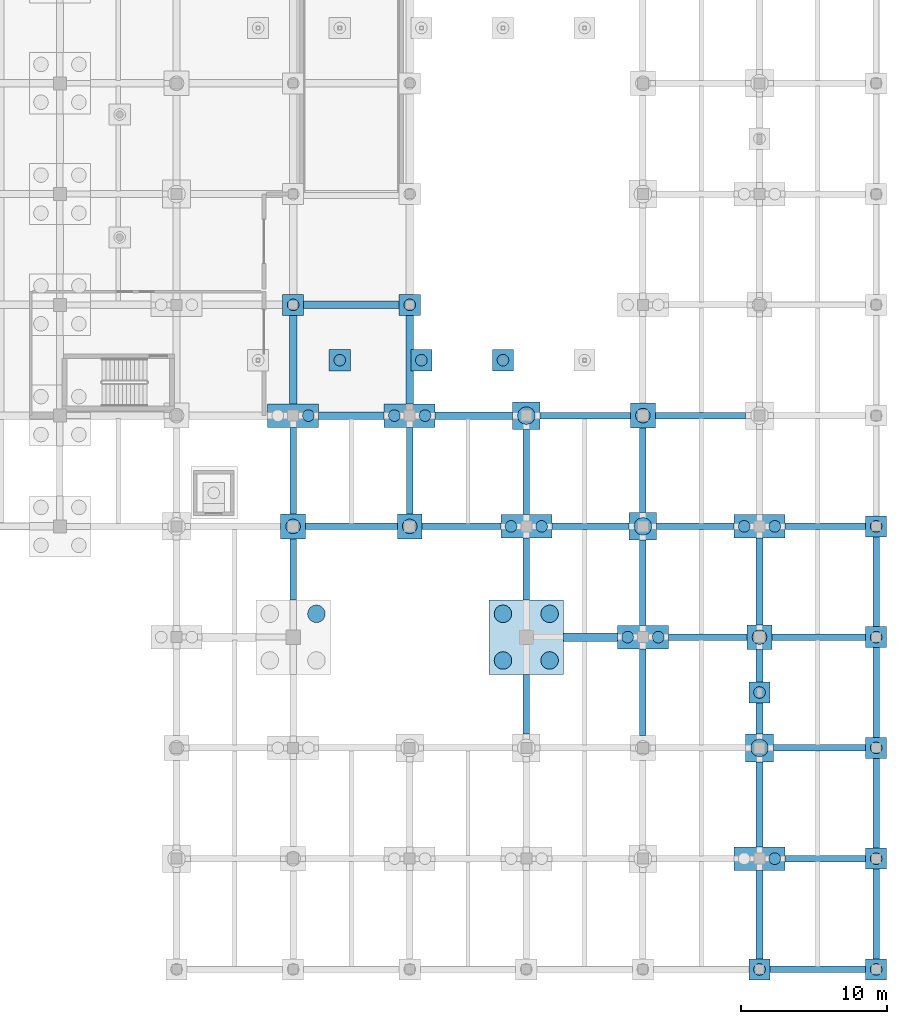
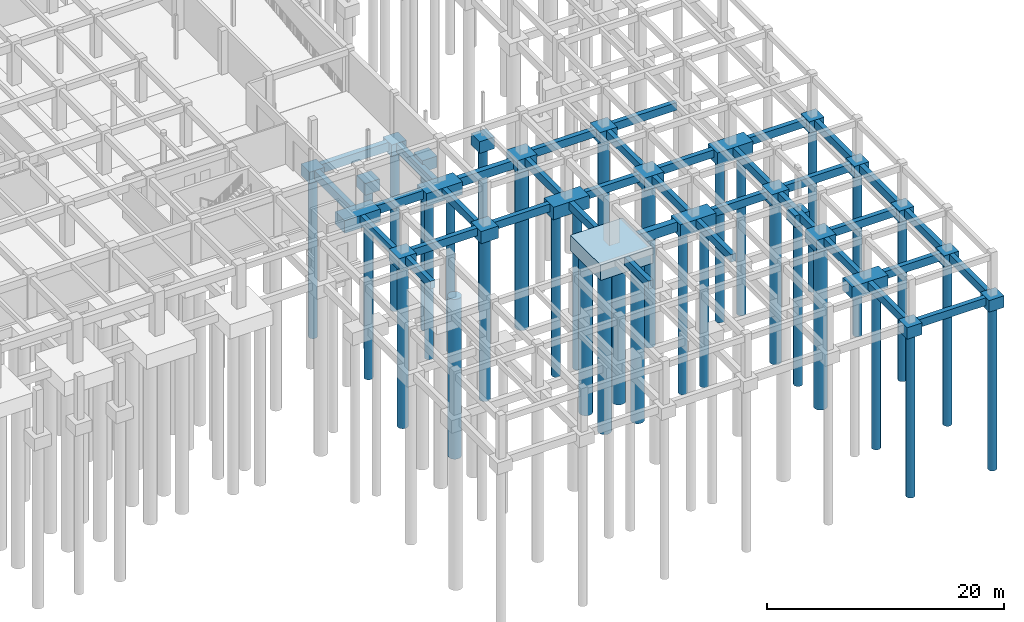
# One storey, part 13 of 49: 61 footings, 34 piles.
"""IFC4 building model written with IfcOpenShell, lengths in metres."""

from ifc_helpers import new_model, si_unit, direction, frame, origin, origin_2d, place, context, subcontext, project, spatial, rectangle, circle, extrude, material, layer, layer_set, material_profile, profile_set, type_object, element, save


model = new_model("IFC4")

# Units and contexts
model_context = context("Model", 3, precision=1e-05, world=origin(), true_north=direction((0.0, 1.0)))
body_context = subcontext(model_context, "Body", "Model", "MODEL_VIEW")
ifc_project = project(units=[si_unit("LENGTHUNIT", "METRE"), si_unit("AREAUNIT", "SQUARE_METRE"), si_unit("VOLUMEUNIT", "CUBIC_METRE"), si_unit("PLANEANGLEUNIT", "RADIAN"), si_unit("MASSUNIT", "GRAM", prefix="KILO")], contexts=[model_context])

# Site, building, storey
site_placement = place(None, origin())
site = spatial("IfcSite", under=ifc_project, at=site_placement, CompositionType="ELEMENT")
building_placement = place(site_placement, origin())
building = spatial("IfcBuilding", under=site, at=building_placement, Name="Zantavel Square City Hall", CompositionType="ELEMENT")
storey_placement = place(building_placement, frame((0.0, 0.0, -4.5)))
storey = spatial("IfcBuildingStorey", under=building, at=storey_placement, Name="B1", CompositionType="ELEMENT", Elevation=-4.5)

# Piles
ifc_material_1 = material(Name="Concrete C35/45", Category="concrete")
ifc_material_profile_1 = material_profile(ifc_material_1, circle(Radius=0.5, at=origin_2d()), Name="PILE D1000")
ifc_profile_set_1 = profile_set([ifc_material_profile_1], Name="Concrete C35/45")
pile_type_1 = type_object("IfcPileType", Name="Bored Pile D1000 Concrete C35/45", PredefinedType="BORED", material=ifc_profile_set_1)
for number, where, z_axis, x_axis, name in (
    (1, (128.0, 30.39990234375, -1.14990234375), (0.0, 0.0, -1.0), (1.0, 0.0, 0.0), "Bored Pile FDN-PL-1280-0304-1"),
    (2, (136.0, 30.39990234375, -1.14990234375), (0.0, 0.0, -1.0), (1.0, 0.0, 0.0), "Bored Pile FDN-PL-1360-0304-1"),
    (3, (152.0, 38.0, -1.14990234375), (0.0, 0.0, -1.0), (1.0, 0.0, 0.0), "Bored Pile FDN-PL-1520-0380-1"),
    (4, (160.0, 22.800048828125, -1.14990234375), (0.0, 0.0, -1.0), (1.0, 0.0, 0.0), "Bored Pile FDN-PL-1600-0228-1"),
):
    element("IfcPile", number, at=place(storey_placement, frame(where, z_axis=z_axis, x_axis=x_axis)), inside=storey, type_object=pile_type_1, Name=name, PredefinedType="BORED", context=body_context, shape_type="SweptSolid", body=[
        extrude(circle(Radius=0.5, at=origin_2d()), origin(), (0.0, 0.0, 1.0), 16.85009765625),
    ])
ifc_material_profile_2 = material_profile(ifc_material_1, circle(Radius=0.60009765625, at=origin_2d()), Name="PILE D1200")
ifc_profile_set_2 = profile_set([ifc_material_profile_2], Name="Concrete C35/45")
pile_type_2 = type_object("IfcPileType", Name="Bored Pile D1200 Concrete C35/45", PredefinedType="BORED", material=ifc_profile_set_2)
for number, where, z_axis, x_axis, name in (
    (5, (129.60009765625, 24.39990234375, -1.5), (0.0, 0.0, -1.0), (1.0, 0.0, 0.0), "Bored Pile FDN-PL-1280-0228-4"),
    (6, (142.39990234375, 21.199951171875, -1.5), (0.0, 0.0, -1.0), (1.0, 0.0, 0.0), "Bored Pile FDN-PL-1440-0228-1"),
    (7, (145.60009765625, 21.199951171875, -1.5), (0.0, 0.0, -1.0), (1.0, 0.0, 0.0), "Bored Pile FDN-PL-1440-0228-2"),
    (8, (142.39990234375, 24.39990234375, -1.5), (0.0, 0.0, -1.0), (1.0, 0.0, 0.0), "Bored Pile FDN-PL-1440-0228-3"),
    (9, (145.60009765625, 24.39990234375, -1.5), (0.0, 0.0, -1.0), (1.0, 0.0, 0.0), "Bored Pile FDN-PL-1440-0228-4"),
):
    element("IfcPile", number, at=place(storey_placement, frame(where, z_axis=z_axis, x_axis=x_axis)), inside=storey, type_object=pile_type_2, Name=name, PredefinedType="BORED", context=body_context, shape_type="SweptSolid", body=[
        extrude(circle(Radius=0.60009765625, at=origin_2d()), origin(), (0.0, 0.0, 1.0), 16.5),
    ])
for number, where, z_axis, x_axis, name in (
    (10, (144.0, 38.0, -1.199951171875), (0.0, 0.0, -1.0), (1.0, 0.0, 0.0), "Bored Pile FDN-PL-1440-0380-1"),
    (11, (152.0, 30.39990234375, -1.199951171875), (0.0, 0.0, -1.0), (1.0, 0.0, 0.0), "Bored Pile FDN-PL-1520-0304-1"),
    (12, (160.0, 15.199951171875, -1.199951171875), (0.0, 0.0, -1.0), (1.0, 0.0, 0.0), "Bored Pile FDN-PL-1600-0152-1"),
):
    element("IfcPile", number, at=place(storey_placement, frame(where, z_axis=z_axis, x_axis=x_axis)), inside=storey, type_object=pile_type_2, Name=name, PredefinedType="BORED", context=body_context, shape_type="SweptSolid", body=[
        extrude(circle(Radius=0.60009765625, at=origin_2d()), origin(), (0.0, 0.0, 1.0), 16.800048828125),
    ])
ifc_material_profile_3 = material_profile(ifc_material_1, circle(Radius=0.39990234375, at=origin_2d()), Name="PILE D800")
ifc_profile_set_3 = profile_set([ifc_material_profile_3], Name="Concrete C35/45")
pile_type_3 = type_object("IfcPileType", Name="Bored Pile D800 Concrete C35/45", PredefinedType="BORED", material=ifc_profile_set_3)
pile_1_placement = place(storey_placement, frame((129.050048828125, 38.0, -1.60009765625), z_axis=(0.0, 0.0, -1.0), x_axis=(1.0, 0.0, 0.0)))
element("IfcPile", 13, at=pile_1_placement, inside=storey, type_object=pile_type_3, Name="Bored Pile FDN-PL-1280-0380-2", PredefinedType="BORED", context=body_context, shape_type="SweptSolid", body=[
    extrude(circle(Radius=0.39990234375, at=origin_2d()), origin(), (0.0, 0.0, 1.0), 16.39990234375),
])
pile_2_placement = place(storey_placement, frame((128.0, 45.60009765625, -1.5), z_axis=(0.0, 0.0, -1.0), x_axis=(1.0, 0.0, 0.0)))
element("IfcPile", 14, at=pile_2_placement, inside=storey, type_object=pile_type_3, Name="Bored Pile FDN-PL-1280-0456-1", PredefinedType="BORED", context=body_context, shape_type="SweptSolid", body=[
    extrude(circle(Radius=0.39990234375, at=origin_2d()), origin(), (0.0, 0.0, 1.0), 16.5),
])
for number, where, z_axis, x_axis, name in (
    (15, (134.949951171875, 38.0, -1.60009765625), (0.0, 0.0, -1.0), (1.0, 0.0, 0.0), "Bored Pile FDN-PL-1360-0380-1"),
    (16, (137.050048828125, 38.0, -1.60009765625), (0.0, 0.0, -1.0), (1.0, 0.0, 0.0), "Bored Pile FDN-PL-1360-0380-2"),
):
    element("IfcPile", number, at=place(storey_placement, frame(where, z_axis=z_axis, x_axis=x_axis)), inside=storey, type_object=pile_type_3, Name=name, PredefinedType="BORED", context=body_context, shape_type="SweptSolid", body=[
        extrude(circle(Radius=0.39990234375, at=origin_2d()), origin(), (0.0, 0.0, 1.0), 16.39990234375),
    ])
pile_3_placement = place(storey_placement, frame((136.0, 45.60009765625, -1.5), z_axis=(0.0, 0.0, -1.0), x_axis=(1.0, 0.0, 0.0)))
element("IfcPile", 17, at=pile_3_placement, inside=storey, type_object=pile_type_3, Name="Bored Pile FDN-PL-1360-0456-1", PredefinedType="BORED", context=body_context, shape_type="SweptSolid", body=[
    extrude(circle(Radius=0.39990234375, at=origin_2d()), origin(), (0.0, 0.0, 1.0), 16.5),
])
for number, where, z_axis, x_axis, name in (
    (18, (142.949951171875, 30.39990234375, -1.199951171875), (0.0, 0.0, -1.0), (1.0, 0.0, 0.0), "Bored Pile FDN-PL-1440-0304-1"),
    (19, (145.050048828125, 30.39990234375, -1.199951171875), (0.0, 0.0, -1.0), (1.0, 0.0, 0.0), "Bored Pile FDN-PL-1440-0304-2"),
    (20, (150.949951171875, 22.800048828125, -1.199951171875), (0.0, 0.0, -1.0), (1.0, 0.0, 0.0), "Bored Pile FDN-PL-1520-0228-1"),
    (21, (153.050048828125, 22.800048828125, -1.199951171875), (0.0, 0.0, -1.0), (1.0, 0.0, 0.0), "Bored Pile FDN-PL-1520-0228-2"),
):
    element("IfcPile", number, at=place(storey_placement, frame(where, z_axis=z_axis, x_axis=x_axis)), inside=storey, type_object=pile_type_3, Name=name, PredefinedType="BORED", context=body_context, shape_type="SweptSolid", body=[
        extrude(circle(Radius=0.39990234375, at=origin_2d()), origin(), (0.0, 0.0, 1.0), 16.800048828125),
    ])
pile_4_placement = place(storey_placement, frame((160.0, 0.0, -1.10009765625), z_axis=(0.0, 0.0, -1.0), x_axis=(1.0, 0.0, 0.0)))
element("IfcPile", 22, at=pile_4_placement, inside=storey, type_object=pile_type_3, Name="Bored Pile FDN-PL-1600-0000-1", PredefinedType="BORED", context=body_context, shape_type="SweptSolid", body=[
    extrude(circle(Radius=0.39990234375, at=origin_2d()), origin(), (0.0, 0.0, 1.0), 16.89990234375),
])
for number, where, z_axis, x_axis, name in (
    (23, (161.050048828125, 7.60009765625, -1.199951171875), (0.0, 0.0, -1.0), (1.0, 0.0, 0.0), "Bored Pile FDN-PL-1600-0076-2"),
    (24, (158.949951171875, 30.39990234375, -1.199951171875), (0.0, 0.0, -1.0), (1.0, 0.0, 0.0), "Bored Pile FDN-PL-1600-0304-1"),
    (25, (161.050048828125, 30.39990234375, -1.199951171875), (0.0, 0.0, -1.0), (1.0, 0.0, 0.0), "Bored Pile FDN-PL-1600-0304-2"),
):
    element("IfcPile", number, at=place(storey_placement, frame(where, z_axis=z_axis, x_axis=x_axis)), inside=storey, type_object=pile_type_3, Name=name, PredefinedType="BORED", context=body_context, shape_type="SweptSolid", body=[
        extrude(circle(Radius=0.39990234375, at=origin_2d()), origin(), (0.0, 0.0, 1.0), 16.800048828125),
    ])
for number, where, z_axis, x_axis, name in (
    (26, (168.0, 0.0, -1.10009765625), (0.0, 0.0, -1.0), (1.0, 0.0, 0.0), "Bored Pile FDN-PL-1680-0000-1"),
    (27, (168.0, 7.60009765625, -1.10009765625), (0.0, 0.0, -1.0), (1.0, 0.0, 0.0), "Bored Pile FDN-PL-1680-0076-1"),
    (28, (168.0, 15.199951171875, -1.10009765625), (0.0, 0.0, -1.0), (1.0, 0.0, 0.0), "Bored Pile FDN-PL-1680-0152-1"),
    (29, (168.0, 22.800048828125, -1.10009765625), (0.0, 0.0, -1.0), (1.0, 0.0, 0.0), "Bored Pile FDN-PL-1680-0228-1"),
    (30, (168.0, 30.39990234375, -1.10009765625), (0.0, 0.0, -1.0), (1.0, 0.0, 0.0), "Bored Pile FDN-PL-1680-0304-1"),
    (31, (160.0, 19.0, -1.10009765625), (0.0, 0.0, -1.0), (1.0, 0.0, 0.0), "Pilaster Bored Pile FDN-PLPIL-1600-0190"),
):
    element("IfcPile", number, at=place(storey_placement, frame(where, z_axis=z_axis, x_axis=x_axis)), inside=storey, type_object=pile_type_3, Name=name, PredefinedType="BORED", context=body_context, shape_type="SweptSolid", body=[
        extrude(circle(Radius=0.39990234375, at=origin_2d()), origin(), (0.0, 0.0, 1.0), 16.89990234375),
    ])
pile_5_placement = place(storey_placement, frame((131.199951171875, 41.800048828125, -1.5), z_axis=(0.0, 0.0, -1.0), x_axis=(1.0, 0.0, 0.0)))
element("IfcPile", 32, at=pile_5_placement, inside=storey, type_object=pile_type_3, Name="Skylight Pier Bored Pile 2-S", PredefinedType="BORED", context=body_context, shape_type="SweptSolid", body=[
    extrude(circle(Radius=0.39990234375, at=origin_2d()), origin(), (0.0, 0.0, 1.0), 16.5),
])
for number, where, z_axis, x_axis, name in (
    (33, (136.800048828125, 41.800048828125, -1.10009765625), (0.0, 0.0, -1.0), (1.0, 0.0, 0.0), "Skylight Pier Bored Pile 3-S"),
    (34, (142.39990234375, 41.800048828125, -1.10009765625), (0.0, 0.0, -1.0), (1.0, 0.0, 0.0), "Skylight Pier Bored Pile 4-S"),
):
    element("IfcPile", number, at=place(storey_placement, frame(where, z_axis=z_axis, x_axis=x_axis)), inside=storey, type_object=pile_type_3, Name=name, PredefinedType="BORED", context=body_context, shape_type="SweptSolid", body=[
        extrude(circle(Radius=0.39990234375, at=origin_2d()), origin(), (0.0, 0.0, 1.0), 16.89990234375),
    ])

# Footings
ifc_material_profile_4 = material_profile(ifc_material_1, rectangle(XDim=0.449951171875, YDim=0.800048828125, at=origin_2d()), Name="RC 450x800")
ifc_profile_set_4 = profile_set([ifc_material_profile_4], Name="Concrete C35/45")
footing_type_1 = type_object("IfcFootingType", Name="Courtyard Grade Tie Beam 450x800 C35/45", PredefinedType="FOOTING_BEAM", material=ifc_profile_set_4)
footing_1_placement = place(storey_placement, frame((128.0, 25.35009765625, -0.39990234375), z_axis=(0.0, 1.0, 0.0), x_axis=(-1.0, 0.0, 0.0)))
element("IfcFooting", 35, at=footing_1_placement, inside=storey, type_object=footing_type_1, Name="Grade Tie Beam FDN-GTBY-1280-0228", PredefinedType="FOOTING_BEAM", context=body_context, shape_type="SweptSolid", body=[
    extrude(rectangle(XDim=0.449951171875, YDim=0.800048828125, at=origin_2d()), origin(), (0.0, 0.0, 1.0), 4.199951171875),
])
footing_2_placement = place(storey_placement, frame((128.85009765625, 30.39990234375, -0.39990234375), z_axis=(1.0, 0.0, 0.0), x_axis=(0.0, 1.0, 0.0)))
element("IfcFooting", 36, at=footing_2_placement, inside=storey, type_object=footing_type_1, Name="Grade Tie Beam FDN-GTBX-1280-0304", PredefinedType="FOOTING_BEAM", context=body_context, shape_type="SweptSolid", body=[
    extrude(rectangle(XDim=0.449951171875, YDim=0.800048828125, at=origin_2d()), origin(), (0.0, 0.0, 1.0), 6.2998046875),
])
footing_3_placement = place(storey_placement, frame((128.0, 31.25, -0.800048828125), z_axis=(0.0, 1.0, 0.0), x_axis=(-1.0, 0.0, 0.0)))
element("IfcFooting", 37, at=footing_3_placement, inside=storey, type_object=footing_type_1, Name="Grade Tie Beam FDN-GTBY-1280-0304", PredefinedType="FOOTING_BEAM", context=body_context, shape_type="SweptSolid", body=[
    extrude(rectangle(XDim=0.449951171875, YDim=0.800048828125, at=origin_2d()), origin(), (0.0, 0.0, 1.0), 5.949951171875),
])
footing_4_placement = place(storey_placement, frame((136.85009765625, 30.39990234375, -0.39990234375), z_axis=(1.0, 0.0, 0.0), x_axis=(0.0, 1.0, 0.0)))
element("IfcFooting", 38, at=footing_4_placement, inside=storey, type_object=footing_type_1, Name="Grade Tie Beam FDN-GTBX-1360-0304", PredefinedType="FOOTING_BEAM", context=body_context, shape_type="SweptSolid", body=[
    extrude(rectangle(XDim=0.449951171875, YDim=0.800048828125, at=origin_2d()), origin(), (0.0, 0.0, 1.0), 5.39990234375),
])
footing_5_placement = place(storey_placement, frame((136.0, 31.25, -0.800048828125), z_axis=(0.0, 1.0, 0.0), x_axis=(-1.0, 0.0, 0.0)))
element("IfcFooting", 39, at=footing_5_placement, inside=storey, type_object=footing_type_1, Name="Grade Tie Beam FDN-GTBY-1360-0304", PredefinedType="FOOTING_BEAM", context=body_context, shape_type="SweptSolid", body=[
    extrude(rectangle(XDim=0.449951171875, YDim=0.800048828125, at=origin_2d()), origin(), (0.0, 0.0, 1.0), 5.949951171875),
])
footing_6_placement = place(storey_placement, frame((144.0, 16.14990234375, -0.39990234375), z_axis=(0.0, 1.0, 0.0), x_axis=(-1.0, 0.0, 0.0)))
element("IfcFooting", 40, at=footing_6_placement, inside=storey, type_object=footing_type_1, Name="Grade Tie Beam FDN-GTBY-1440-0152", PredefinedType="FOOTING_BEAM", context=body_context, shape_type="SweptSolid", body=[
    extrude(rectangle(XDim=0.449951171875, YDim=0.800048828125, at=origin_2d()), origin(), (0.0, 0.0, 1.0), 4.10009765625),
])
footing_7_placement = place(storey_placement, frame((144.0, 25.35009765625, -0.39990234375), z_axis=(0.0, 1.0, 0.0), x_axis=(-1.0, 0.0, 0.0)))
element("IfcFooting", 41, at=footing_7_placement, inside=storey, type_object=footing_type_1, Name="Grade Tie Beam FDN-GTBY-1440-0228", PredefinedType="FOOTING_BEAM", context=body_context, shape_type="SweptSolid", body=[
    extrude(rectangle(XDim=0.449951171875, YDim=0.800048828125, at=origin_2d()), origin(), (0.0, 0.0, 1.0), 4.25),
])
footing_8_placement = place(storey_placement, frame((145.75, 30.39990234375, -0.39990234375), z_axis=(1.0, 0.0, 0.0), x_axis=(0.0, 1.0, 0.0)))
element("IfcFooting", 42, at=footing_8_placement, inside=storey, type_object=footing_type_1, Name="Grade Tie Beam FDN-GTBX-1440-0304", PredefinedType="FOOTING_BEAM", context=body_context, shape_type="SweptSolid", body=[
    extrude(rectangle(XDim=0.449951171875, YDim=0.800048828125, at=origin_2d()), origin(), (0.0, 0.0, 1.0), 5.300048828125),
])
footing_9_placement = place(storey_placement, frame((144.0, 31.199951171875, -0.39990234375), z_axis=(0.0, 1.0, 0.0), x_axis=(-1.0, 0.0, 0.0)))
element("IfcFooting", 43, at=footing_9_placement, inside=storey, type_object=footing_type_1, Name="Grade Tie Beam FDN-GTBY-1440-0304", PredefinedType="FOOTING_BEAM", context=body_context, shape_type="SweptSolid", body=[
    extrude(rectangle(XDim=0.449951171875, YDim=0.800048828125, at=origin_2d()), origin(), (0.0, 0.0, 1.0), 5.85009765625),
])
footing_10_placement = place(storey_placement, frame((144.949951171875, 38.0, -0.39990234375), z_axis=(1.0, 0.0, 0.0), x_axis=(0.0, 1.0, 0.0)))
element("IfcFooting", 44, at=footing_10_placement, inside=storey, type_object=footing_type_1, Name="Grade Tie Beam FDN-GTBX-1440-0380", PredefinedType="FOOTING_BEAM", context=body_context, shape_type="SweptSolid", body=[
    extrude(rectangle(XDim=0.449951171875, YDim=0.800048828125, at=origin_2d()), origin(), (0.0, 0.0, 1.0), 6.199951171875),
])
footing_11_placement = place(storey_placement, frame((152.0, 16.050048828125, -0.39990234375), z_axis=(0.0, 1.0, 0.0), x_axis=(-1.0, 0.0, 0.0)))
element("IfcFooting", 45, at=footing_11_placement, inside=storey, type_object=footing_type_1, Name="Grade Tie Beam FDN-GTBY-1520-0152", PredefinedType="FOOTING_BEAM", context=body_context, shape_type="SweptSolid", body=[
    extrude(rectangle(XDim=0.449951171875, YDim=0.800048828125, at=origin_2d()), origin(), (0.0, 0.0, 1.0), 5.949951171875),
])
footing_12_placement = place(storey_placement, frame((153.75, 22.800048828125, -0.39990234375), z_axis=(1.0, 0.0, 0.0), x_axis=(0.0, 1.0, 0.0)))
element("IfcFooting", 46, at=footing_12_placement, inside=storey, type_object=footing_type_1, Name="Grade Tie Beam FDN-GTBX-1520-0228", PredefinedType="FOOTING_BEAM", context=body_context, shape_type="SweptSolid", body=[
    extrude(rectangle(XDim=0.449951171875, YDim=0.800048828125, at=origin_2d()), origin(), (0.0, 0.0, 1.0), 5.39990234375),
])
footing_13_placement = place(storey_placement, frame((152.0, 23.60009765625, -0.39990234375), z_axis=(0.0, 1.0, 0.0), x_axis=(-1.0, 0.0, 0.0)))
element("IfcFooting", 47, at=footing_13_placement, inside=storey, type_object=footing_type_1, Name="Grade Tie Beam FDN-GTBY-1520-0228", PredefinedType="FOOTING_BEAM", context=body_context, shape_type="SweptSolid", body=[
    extrude(rectangle(XDim=0.449951171875, YDim=0.800048828125, at=origin_2d()), origin(), (0.0, 0.0, 1.0), 5.849853515625),
])
footing_14_placement = place(storey_placement, frame((152.949951171875, 30.39990234375, -0.39990234375), z_axis=(1.0, 0.0, 0.0), x_axis=(0.0, 1.0, 0.0)))
element("IfcFooting", 48, at=footing_14_placement, inside=storey, type_object=footing_type_1, Name="Grade Tie Beam FDN-GTBX-1520-0304", PredefinedType="FOOTING_BEAM", context=body_context, shape_type="SweptSolid", body=[
    extrude(rectangle(XDim=0.449951171875, YDim=0.800048828125, at=origin_2d()), origin(), (0.0, 0.0, 1.0), 5.300048828125),
])
footing_15_placement = place(storey_placement, frame((152.0, 31.35009765625, -0.39990234375), z_axis=(0.0, 1.0, 0.0), x_axis=(-1.0, 0.0, 0.0)))
element("IfcFooting", 49, at=footing_15_placement, inside=storey, type_object=footing_type_1, Name="Grade Tie Beam FDN-GTBY-1520-0304", PredefinedType="FOOTING_BEAM", context=body_context, shape_type="SweptSolid", body=[
    extrude(rectangle(XDim=0.449951171875, YDim=0.800048828125, at=origin_2d()), origin(), (0.0, 0.0, 1.0), 5.7998046875),
])
footing_16_placement = place(storey_placement, frame((152.85009765625, 38.0, -0.39990234375), z_axis=(1.0, 0.0, 0.0), x_axis=(0.0, 1.0, 0.0)))
element("IfcFooting", 50, at=footing_16_placement, inside=storey, type_object=footing_type_1, Name="Grade Tie Beam FDN-GTBX-1520-0380", PredefinedType="FOOTING_BEAM", context=body_context, shape_type="SweptSolid", body=[
    extrude(rectangle(XDim=0.449951171875, YDim=0.800048828125, at=origin_2d()), origin(), (0.0, 0.0, 1.0), 6.199951171875),
])
footing_17_placement = place(storey_placement, frame((160.72509765625, 0.0, -0.39990234375), z_axis=(1.0, 0.0, 0.0), x_axis=(0.0, 1.0, 0.0)))
element("IfcFooting", 51, at=footing_17_placement, inside=storey, type_object=footing_type_1, Name="Grade Tie Beam FDN-GTBX-1600-0000", PredefinedType="FOOTING_BEAM", context=body_context, shape_type="SweptSolid", body=[
    extrude(rectangle(XDim=0.449951171875, YDim=0.800048828125, at=origin_2d()), origin(), (0.0, 0.0, 1.0), 6.5498046875),
])
footing_18_placement = place(storey_placement, frame((160.0, 0.72509765625, -0.39990234375), z_axis=(0.0, 1.0, 0.0), x_axis=(-1.0, 0.0, 0.0)))
element("IfcFooting", 52, at=footing_18_placement, inside=storey, type_object=footing_type_1, Name="Grade Tie Beam FDN-GTBY-1600-0000", PredefinedType="FOOTING_BEAM", context=body_context, shape_type="SweptSolid", body=[
    extrude(rectangle(XDim=0.449951171875, YDim=0.800048828125, at=origin_2d()), origin(), (0.0, 0.0, 1.0), 6.074951171875),
])
footing_19_placement = place(storey_placement, frame((161.75, 7.60009765625, -0.39990234375), z_axis=(1.0, 0.0, 0.0), x_axis=(0.0, 1.0, 0.0)))
element("IfcFooting", 53, at=footing_19_placement, inside=storey, type_object=footing_type_1, Name="Grade Tie Beam FDN-GTBX-1600-0076", PredefinedType="FOOTING_BEAM", context=body_context, shape_type="SweptSolid", body=[
    extrude(rectangle(XDim=0.449951171875, YDim=0.800048828125, at=origin_2d()), origin(), (0.0, 0.0, 1.0), 5.52490234375),
])
footing_20_placement = place(storey_placement, frame((160.0, 8.39990234375, -0.39990234375), z_axis=(0.0, 1.0, 0.0), x_axis=(-1.0, 0.0, 0.0)))
element("IfcFooting", 54, at=footing_20_placement, inside=storey, type_object=footing_type_1, Name="Grade Tie Beam FDN-GTBY-1600-0076", PredefinedType="FOOTING_BEAM", context=body_context, shape_type="SweptSolid", body=[
    extrude(rectangle(XDim=0.449951171875, YDim=0.800048828125, at=origin_2d()), origin(), (0.0, 0.0, 1.0), 5.85009765625),
])
footing_21_placement = place(storey_placement, frame((160.949951171875, 15.199951171875, -0.39990234375), z_axis=(1.0, 0.0, 0.0), x_axis=(0.0, 1.0, 0.0)))
element("IfcFooting", 55, at=footing_21_placement, inside=storey, type_object=footing_type_1, Name="Grade Tie Beam FDN-GTBX-1600-0152", PredefinedType="FOOTING_BEAM", context=body_context, shape_type="SweptSolid", body=[
    extrude(rectangle(XDim=0.449951171875, YDim=0.800048828125, at=origin_2d()), origin(), (0.0, 0.0, 1.0), 6.324951171875),
])
footing_22_placement = place(storey_placement, frame((160.0, 16.14990234375, -0.39990234375), z_axis=(0.0, 1.0, 0.0), x_axis=(-1.0, 0.0, 0.0)))
element("IfcFooting", 56, at=footing_22_placement, inside=storey, type_object=footing_type_1, Name="Grade Tie Beam FDN-GTBY-1600-0152", PredefinedType="FOOTING_BEAM", context=body_context, shape_type="SweptSolid", body=[
    extrude(rectangle(XDim=0.449951171875, YDim=0.800048828125, at=origin_2d()), origin(), (0.0, 0.0, 1.0), 5.800048828125),
])
footing_23_placement = place(storey_placement, frame((160.85009765625, 22.800048828125, -0.39990234375), z_axis=(1.0, 0.0, 0.0), x_axis=(0.0, 1.0, 0.0)))
element("IfcFooting", 57, at=footing_23_placement, inside=storey, type_object=footing_type_1, Name="Grade Tie Beam FDN-GTBX-1600-0228", PredefinedType="FOOTING_BEAM", context=body_context, shape_type="SweptSolid", body=[
    extrude(rectangle(XDim=0.449951171875, YDim=0.800048828125, at=origin_2d()), origin(), (0.0, 0.0, 1.0), 6.4248046875),
])
footing_24_placement = place(storey_placement, frame((160.0, 23.64990234375, -0.39990234375), z_axis=(0.0, 1.0, 0.0), x_axis=(-1.0, 0.0, 0.0)))
element("IfcFooting", 58, at=footing_24_placement, inside=storey, type_object=footing_type_1, Name="Grade Tie Beam FDN-GTBY-1600-0228", PredefinedType="FOOTING_BEAM", context=body_context, shape_type="SweptSolid", body=[
    extrude(rectangle(XDim=0.449951171875, YDim=0.800048828125, at=origin_2d()), origin(), (0.0, 0.0, 1.0), 5.9501953125),
])
footing_25_placement = place(storey_placement, frame((161.75, 30.39990234375, -0.39990234375), z_axis=(1.0, 0.0, 0.0), x_axis=(0.0, 1.0, 0.0)))
element("IfcFooting", 59, at=footing_25_placement, inside=storey, type_object=footing_type_1, Name="Grade Tie Beam FDN-GTBX-1600-0304", PredefinedType="FOOTING_BEAM", context=body_context, shape_type="SweptSolid", body=[
    extrude(rectangle(XDim=0.449951171875, YDim=0.800048828125, at=origin_2d()), origin(), (0.0, 0.0, 1.0), 5.52490234375),
])
footing_26_placement = place(storey_placement, frame((168.0, 0.72509765625, -0.39990234375), z_axis=(0.0, 1.0, 0.0), x_axis=(-1.0, 0.0, 0.0)))
element("IfcFooting", 60, at=footing_26_placement, inside=storey, type_object=footing_type_1, Name="Grade Tie Beam FDN-GTBY-1680-0000", PredefinedType="FOOTING_BEAM", context=body_context, shape_type="SweptSolid", body=[
    extrude(rectangle(XDim=0.449951171875, YDim=0.800048828125, at=origin_2d()), origin(), (0.0, 0.0, 1.0), 6.14990234375),
])
footing_27_placement = place(storey_placement, frame((168.0, 8.324951171875, -0.39990234375), z_axis=(0.0, 1.0, 0.0), x_axis=(-1.0, 0.0, 0.0)))
element("IfcFooting", 61, at=footing_27_placement, inside=storey, type_object=footing_type_1, Name="Grade Tie Beam FDN-GTBY-1680-0076", PredefinedType="FOOTING_BEAM", context=body_context, shape_type="SweptSolid", body=[
    extrude(rectangle(XDim=0.449951171875, YDim=0.800048828125, at=origin_2d()), origin(), (0.0, 0.0, 1.0), 6.150146484375),
])
footing_28_placement = place(storey_placement, frame((168.0, 15.925048828125, -0.39990234375), z_axis=(0.0, 1.0, 0.0), x_axis=(-1.0, 0.0, 0.0)))
element("IfcFooting", 62, at=footing_28_placement, inside=storey, type_object=footing_type_1, Name="Grade Tie Beam FDN-GTBY-1680-0152", PredefinedType="FOOTING_BEAM", context=body_context, shape_type="SweptSolid", body=[
    extrude(rectangle(XDim=0.449951171875, YDim=0.800048828125, at=origin_2d()), origin(), (0.0, 0.0, 1.0), 6.14990234375),
])
footing_29_placement = place(storey_placement, frame((168.0, 23.52490234375, -0.39990234375), z_axis=(0.0, 1.0, 0.0), x_axis=(-1.0, 0.0, 0.0)))
element("IfcFooting", 63, at=footing_29_placement, inside=storey, type_object=footing_type_1, Name="Grade Tie Beam FDN-GTBY-1680-0228", PredefinedType="FOOTING_BEAM", context=body_context, shape_type="SweptSolid", body=[
    extrude(rectangle(XDim=0.449951171875, YDim=0.800048828125, at=origin_2d()), origin(), (0.0, 0.0, 1.0), 6.150146484375),
])
ifc_material_profile_5 = material_profile(ifc_material_1, rectangle(XDim=0.5, YDim=0.89990234375, at=origin_2d()), Name="RC 500x900")
ifc_profile_set_5 = profile_set([ifc_material_profile_5], Name="Concrete C35/45")
footing_type_2 = type_object("IfcFootingType", Name="Grade Tie Beam 500x900 Concrete C35/45", PredefinedType="FOOTING_BEAM", material=ifc_profile_set_5)
footing_30_placement = place(storey_placement, frame((129.75, 38.0, -0.85009765625), z_axis=(1.0, 0.0, 0.0), x_axis=(0.0, 1.0, 0.0)))
element("IfcFooting", 64, at=footing_30_placement, inside=storey, type_object=footing_type_2, Name="Grade Tie Beam FDN-GTBX-1280-0380", PredefinedType="FOOTING_BEAM", context=body_context, shape_type="SweptSolid", body=[
    extrude(rectangle(XDim=0.5, YDim=0.89990234375, at=origin_2d()), origin(), (0.0, 0.0, 1.0), 4.5),
])
footing_31_placement = place(storey_placement, frame((128.0, 38.800048828125, -0.85009765625), z_axis=(0.0, 1.0, 0.0), x_axis=(-1.0, 0.0, 0.0)))
element("IfcFooting", 65, at=footing_31_placement, inside=storey, type_object=footing_type_2, Name="Grade Tie Beam FDN-GTBY-1280-0380", PredefinedType="FOOTING_BEAM", context=body_context, shape_type="SweptSolid", body=[
    extrude(rectangle(XDim=0.5, YDim=0.89990234375, at=origin_2d()), origin(), (0.0, 0.0, 1.0), 6.074951171875),
])
footing_32_placement = place(storey_placement, frame((128.72509765625, 45.60009765625, -0.85009765625), z_axis=(1.0, 0.0, 0.0), x_axis=(0.0, 1.0, 0.0)))
element("IfcFooting", 66, at=footing_32_placement, inside=storey, type_object=footing_type_2, Name="Grade Tie Beam FDN-GTBX-1280-0456", PredefinedType="FOOTING_BEAM", context=body_context, shape_type="SweptSolid", body=[
    extrude(rectangle(XDim=0.5, YDim=0.89990234375, at=origin_2d()), origin(), (0.0, 0.0, 1.0), 6.5498046875),
])
footing_33_placement = place(storey_placement, frame((137.75, 38.0, -0.85009765625), z_axis=(1.0, 0.0, 0.0), x_axis=(0.0, 1.0, 0.0)))
element("IfcFooting", 67, at=footing_33_placement, inside=storey, type_object=footing_type_2, Name="Grade Tie Beam FDN-GTBX-1360-0380", PredefinedType="FOOTING_BEAM", context=body_context, shape_type="SweptSolid", body=[
    extrude(rectangle(XDim=0.5, YDim=0.89990234375, at=origin_2d()), origin(), (0.0, 0.0, 1.0), 5.300048828125),
])
footing_34_placement = place(storey_placement, frame((136.0, 38.800048828125, -0.85009765625), z_axis=(0.0, 1.0, 0.0), x_axis=(-1.0, 0.0, 0.0)))
element("IfcFooting", 68, at=footing_34_placement, inside=storey, type_object=footing_type_2, Name="Grade Tie Beam FDN-GTBY-1360-0380", PredefinedType="FOOTING_BEAM", context=body_context, shape_type="SweptSolid", body=[
    extrude(rectangle(XDim=0.5, YDim=0.89990234375, at=origin_2d()), origin(), (0.0, 0.0, 1.0), 6.074951171875),
])
ifc_material_2 = material(Name="Concrete C40/50", Category="concrete")
ifc_material_profile_6 = material_profile(ifc_material_2, rectangle(XDim=0.60009765625, YDim=1.0, at=origin_2d()), Name="RC 600x1000")
ifc_profile_set_6 = profile_set([ifc_material_profile_6], Name="Concrete C40/50")
footing_type_3 = type_object("IfcFootingType", Name="Heavy Perimeter Grade Tie Beam 600x1000 C40/50", PredefinedType="FOOTING_BEAM", material=ifc_profile_set_6)
footing_35_placement = place(storey_placement, frame((146.550048828125, 22.800048828125, -0.5), z_axis=(1.0, 0.0, 0.0), x_axis=(0.0, 1.0, 0.0)))
element("IfcFooting", 69, at=footing_35_placement, inside=storey, type_object=footing_type_3, Name="Grade Tie Beam FDN-GTBX-1440-0228", PredefinedType="FOOTING_BEAM", context=body_context, shape_type="SweptSolid", body=[
    extrude(rectangle(XDim=0.60009765625, YDim=1.0, at=origin_2d()), origin(), (0.0, 0.0, 1.0), 3.699951171875),
])
ifc_layer_1 = layer(ifc_material_2, 1.25, Name="Concrete C40/50")
ifc_layer_set_1 = layer_set([ifc_layer_1], Name="Concrete C40/50")
footing_type_4 = type_object("IfcFootingType", Name="Pile Cap 1P-D1000 1700x1700x1250", PredefinedType="PILE_CAP", material=ifc_layer_set_1)
for number, where, z_axis, x_axis, name in (
    (70, (128.0, 30.39990234375, -1.25), (0.0, 0.0, 1.0), (1.0, 0.0, 0.0), "Pile Cap FDN-PC-1280-0304"),
    (71, (136.0, 30.39990234375, -1.25), (0.0, 0.0, 1.0), (1.0, 0.0, 0.0), "Pile Cap FDN-PC-1360-0304"),
    (72, (152.0, 38.0, -1.25), (0.0, 0.0, 1.0), (1.0, 0.0, 0.0), "Pile Cap FDN-PC-1520-0380"),
    (73, (160.0, 22.800048828125, -1.25), (0.0, 0.0, 1.0), (1.0, 0.0, 0.0), "Pile Cap FDN-PC-1600-0228"),
):
    element("IfcFooting", number, at=place(storey_placement, frame(where, z_axis=z_axis, x_axis=x_axis)), inside=storey, type_object=footing_type_4, Name=name, PredefinedType="PILE_CAP", context=body_context, shape_type="SweptSolid", body=[
        extrude(rectangle(XDim=1.699951171875, YDim=1.699951171875, at=origin_2d()), origin(), (0.0, 0.0, 1.0), 1.25),
    ])
ifc_layer_2 = layer(ifc_material_2, 1.300048828125, Name="Concrete C40/50")
ifc_layer_set_2 = layer_set([ifc_layer_2], Name="Concrete C40/50")
footing_type_5 = type_object("IfcFootingType", Name="Pile Cap 1P-D1200 1900x1900x1300", PredefinedType="PILE_CAP", material=ifc_layer_set_2)
for number, where, z_axis, x_axis, name in (
    (74, (144.0, 38.0, -1.2998046875), (0.0, 0.0, 1.0), (1.0, 0.0, 0.0), "Pile Cap FDN-PC-1440-0380"),
    (75, (152.0, 30.39990234375, -1.2998046875), (0.0, 0.0, 1.0), (1.0, 0.0, 0.0), "Pile Cap FDN-PC-1520-0304"),
    (76, (160.0, 15.199951171875, -1.2998046875), (0.0, 0.0, 1.0), (1.0, 0.0, 0.0), "Pile Cap FDN-PC-1600-0152"),
):
    element("IfcFooting", number, at=place(storey_placement, frame(where, z_axis=z_axis, x_axis=x_axis)), inside=storey, type_object=footing_type_5, Name=name, PredefinedType="PILE_CAP", context=body_context, shape_type="SweptSolid", body=[
        extrude(rectangle(XDim=1.89990234375, YDim=1.89990234375, at=origin_2d()), origin(), (0.0, 0.0, 1.0), 1.300048828125),
    ])
ifc_layer_3 = layer(ifc_material_2, 1.199951171875, Name="Concrete C40/50")
ifc_layer_set_3 = layer_set([ifc_layer_3], Name="Concrete C40/50")
footing_type_6 = type_object("IfcFootingType", Name="Pile Cap 1P-D800 1450x1450x1200", PredefinedType="PILE_CAP", material=ifc_layer_set_3)
for number, where, z_axis, x_axis, name in (
    (77, (128.0, 45.60009765625, -1.60009765625), (0.0, 0.0, 1.0), (1.0, 0.0, 0.0), "Pile Cap FDN-PC-1280-0456"),
    (78, (136.0, 45.60009765625, -1.60009765625), (0.0, 0.0, 1.0), (1.0, 0.0, 0.0), "Pile Cap FDN-PC-1360-0456"),
    (79, (160.0, 0.0, -1.2001953125), (0.0, 0.0, 1.0), (1.0, 0.0, 0.0), "Pile Cap FDN-PC-1600-0000"),
    (80, (168.0, 0.0, -1.2001953125), (0.0, 0.0, 1.0), (1.0, 0.0, 0.0), "Pile Cap FDN-PC-1680-0000"),
    (81, (168.0, 7.60009765625, -1.2001953125), (0.0, 0.0, 1.0), (1.0, 0.0, 0.0), "Pile Cap FDN-PC-1680-0076"),
    (82, (168.0, 15.199951171875, -1.2001953125), (0.0, 0.0, 1.0), (1.0, 0.0, 0.0), "Pile Cap FDN-PC-1680-0152"),
    (83, (168.0, 22.800048828125, -1.2001953125), (0.0, 0.0, 1.0), (1.0, 0.0, 0.0), "Pile Cap FDN-PC-1680-0228"),
    (84, (168.0, 30.39990234375, -1.2001953125), (0.0, 0.0, 1.0), (1.0, 0.0, 0.0), "Pile Cap FDN-PC-1680-0304"),
    (85, (160.0, 19.0, -1.2001953125), (0.0, 0.0, 1.0), (1.0, 0.0, 0.0), "Pilaster Pile Cap FDN-PCPIL-1600-0190"),
    (86, (131.199951171875, 41.800048828125, -1.60009765625), (0.0, 0.0, 1.0), (1.0, 0.0, 0.0), "Skylight Pier Pile Cap 2-S"),
    (87, (136.800048828125, 41.800048828125, -1.2001953125), (0.0, 0.0, 1.0), (1.0, 0.0, 0.0), "Skylight Pier Pile Cap 3-S"),
    (88, (142.39990234375, 41.800048828125, -1.2001953125), (0.0, 0.0, 1.0), (1.0, 0.0, 0.0), "Skylight Pier Pile Cap 4-S"),
):
    element("IfcFooting", number, at=place(storey_placement, frame(where, z_axis=z_axis, x_axis=x_axis)), inside=storey, type_object=footing_type_6, Name=name, PredefinedType="PILE_CAP", context=body_context, shape_type="SweptSolid", body=[
        extrude(rectangle(XDim=1.449951171875, YDim=1.449951171875, at=origin_2d()), origin(), (0.0, 0.0, 1.0), 1.199951171875),
    ])
ifc_layer_4 = layer(ifc_material_2, 1.300048828125, Name="Concrete C40/50")
ifc_layer_set_4 = layer_set([ifc_layer_4], Name="Concrete C40/50")
footing_type_7 = type_object("IfcFootingType", Name="Pile Cap 2P-D800C 3500x1600x1300", PredefinedType="PILE_CAP", material=ifc_layer_set_4)
for number, where, z_axis, x_axis, name in (
    (89, (128.0, 38.0, -1.7001953125), (0.0, 0.0, 1.0), (1.0, 0.0, 0.0), "Pile Cap FDN-PC-1280-0380"),
    (90, (136.0, 38.0, -1.7001953125), (0.0, 0.0, 1.0), (1.0, 0.0, 0.0), "Pile Cap FDN-PC-1360-0380"),
    (91, (144.0, 30.39990234375, -1.2998046875), (0.0, 0.0, 1.0), (1.0, 0.0, 0.0), "Pile Cap FDN-PC-1440-0304"),
    (92, (152.0, 22.800048828125, -1.2998046875), (0.0, 0.0, 1.0), (1.0, 0.0, 0.0), "Pile Cap FDN-PC-1520-0228"),
    (93, (160.0, 7.60009765625, -1.2998046875), (0.0, 0.0, 1.0), (1.0, 0.0, 0.0), "Pile Cap FDN-PC-1600-0076"),
    (94, (160.0, 30.39990234375, -1.2998046875), (0.0, 0.0, 1.0), (1.0, 0.0, 0.0), "Pile Cap FDN-PC-1600-0304"),
):
    element("IfcFooting", number, at=place(storey_placement, frame(where, z_axis=z_axis, x_axis=x_axis)), inside=storey, type_object=footing_type_7, Name=name, PredefinedType="PILE_CAP", context=body_context, shape_type="SweptSolid", body=[
        extrude(rectangle(XDim=3.5, YDim=1.60009765625, at=origin_2d()), origin(), (0.0, 0.0, 1.0), 1.300048828125),
    ])
ifc_layer_5 = layer(ifc_material_2, 1.60009765625, Name="Concrete C40/50")
ifc_layer_set_5 = layer_set([ifc_layer_5], Name="Concrete C40/50")
footing_type_8 = type_object("IfcFootingType", Name="Pile Cap 4P-D1200T 5100x5100x1600", PredefinedType="PILE_CAP", material=ifc_layer_set_5)
footing_36_placement = place(storey_placement, frame((144.0, 22.800048828125, -1.60009765625), z_axis=(0.0, 0.0, 1.0), x_axis=(1.0, 0.0, 0.0)))
element("IfcFooting", 95, at=footing_36_placement, inside=storey, type_object=footing_type_8, Name="Pile Cap FDN-PC-1440-0228", PredefinedType="PILE_CAP", context=body_context, shape_type="SweptSolid", body=[
    extrude(rectangle(XDim=5.10009765625, YDim=5.10009765625, at=origin_2d()), origin(), (0.0, 0.0, 1.0), 1.60009765625),
])

save(model, "model.ifc")
